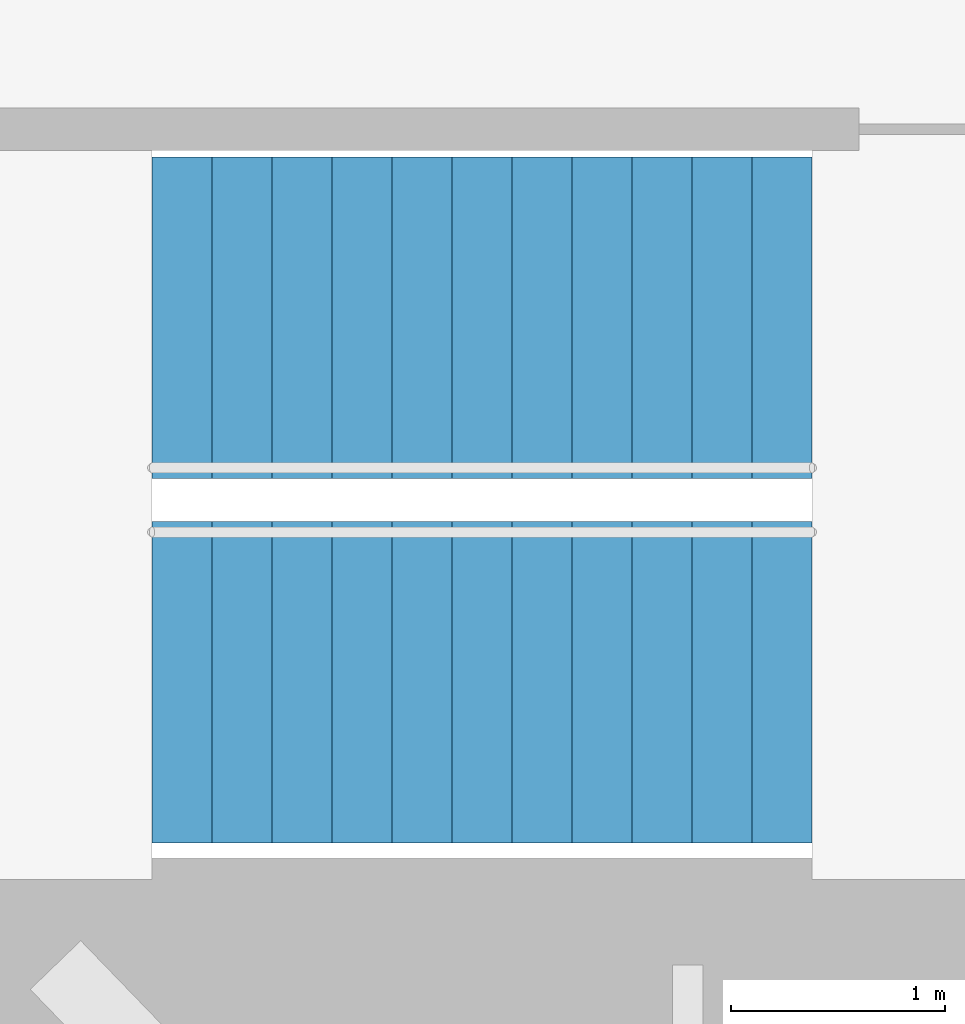
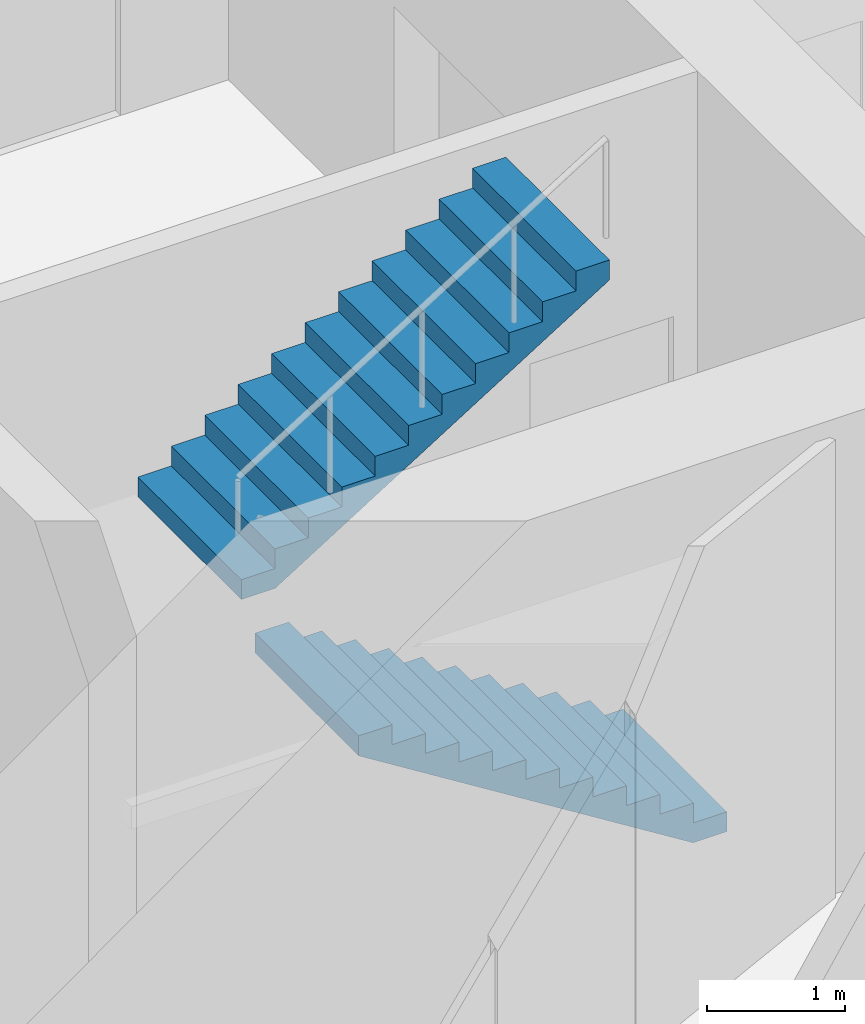
# One storey, part 16 of 17: 2 stair flights, 1 element without a shape of its own.
"""IFC4 building model written with IfcOpenShell, lengths in metres."""

from ifc_helpers import new_model, si_unit, direction, frame, origin, place, context, subcontext, project, spatial, triangles, material, type_object, element, aggregate, save


model = new_model("IFC4")

# Units and contexts
model_context = context("Model", 3, precision=1e-05, world=origin(), true_north=direction((0.0, 1.0)))
body_context = subcontext(model_context, "Body", "Model", "MODEL_VIEW")
ifc_project = project(units=[si_unit("LENGTHUNIT", "METRE"), si_unit("AREAUNIT", "SQUARE_METRE"), si_unit("VOLUMEUNIT", "CUBIC_METRE"), si_unit("PLANEANGLEUNIT", "RADIAN"), si_unit("MASSUNIT", "GRAM", prefix="KILO")], contexts=[model_context])

# Site, building, storey
site_placement = place(None, origin())
site = spatial("IfcSite", under=ifc_project, at=site_placement, CompositionType="ELEMENT")
building_placement = place(site_placement, origin())
building = spatial("IfcBuilding", under=site, at=building_placement, Name="Lantaw Convention Tower", CompositionType="ELEMENT")
storey_placement = place(building_placement, frame((0.0, 0.0, 215.800048828125)))
storey = spatial("IfcBuildingStorey", under=building, at=storey_placement, Name="L50", CompositionType="ELEMENT", Elevation=215.800048828125)

# Stair, stair flights
ifc_material = material(Name="Concrete C35/45", Category="concrete")
stair_type = type_object("IfcStairType", Name="Exit stair 1500 riser 175 in 2 flights", PredefinedType="HALF_TURN_STAIR", material=ifc_material)
stair_placement = place(storey_placement, origin())
stair = element("IfcStair", 1, at=stair_placement, inside=storey, type_object=stair_type, Name="Exit stair S2 L50", PredefinedType="HALF_TURN_STAIR")
stair_flight_type = type_object("IfcStairFlightType", Name="Stair flight 1500 riser 175", PredefinedType="STRAIGHT", material=ifc_material)
stair_flight_1_placement = place(storey_placement, frame((10.580078125, -5.97998046875, 0.0), z_axis=(0.0, 0.0, 1.0), x_axis=(-1.0, 0.0, 0.0)))
stair_flight_1 = element("IfcStairFlight", 2, at=stair_flight_1_placement, type_object=stair_flight_type, Name="S2 flight 1", NumberOfRisers=12, NumberOfTreads=11, PredefinedType="STRAIGHT", RiserHeight=0.175, TreadLength=0.28, context=body_context, shape_type="Tessellation", body=[
    triangles([(0.0, 0.75, 0.0), (0.0, 0.75, 0.175), (0.28, 0.75, 0.0), (0.28, 0.75, 0.175), (0.28, 0.75, 0.35), (0.28283517651771284, 0.75, 0.0), (0.28283517651771284, 0.75, 0.35), (0.56, 0.75, 0.17322801467642948), (0.56, 0.75, 0.35), (0.56, 0.75, 0.5249999999999999), (0.8400000000000001, 0.75, 0.34822801467642944), (0.8400000000000001, 0.75, 0.5249999999999999), (0.8400000000000001, 0.75, 0.7), (1.12, 0.75, 0.5232280146764294), (1.12, 0.75, 0.7), (1.12, 0.75, 0.875), (1.4000000000000001, 0.75, 0.6982280146764295), (1.4000000000000001, 0.75, 0.875), (1.4000000000000001, 0.75, 1.0499999999999998), (1.6800000000000002, 0.75, 0.8732280146764294), (1.6800000000000002, 0.75, 1.0499999999999998), (1.6800000000000002, 0.75, 1.2249999999999999), (1.9600000000000002, 0.75, 1.0482280146764293), (1.9600000000000002, 0.75, 1.2249999999999999), (1.9600000000000002, 0.75, 1.4), (2.24, 0.75, 1.2232280146764294), (2.24, 0.75, 1.4), (2.24, 0.75, 1.575), (2.5200000000000005, 0.75, 1.3982280146764294), (2.5200000000000005, 0.75, 1.575), (2.5200000000000005, 0.75, 1.75), (2.8000000000000003, 0.75, 1.5732280146764293), (2.8000000000000003, 0.75, 1.75), (2.8000000000000003, 0.75, 1.9249999999999998), (3.08, 0.75, 1.7482280146764293), (3.08, 0.75, 1.9249999999999998), (0.0, -0.75, 0.0), (0.0, -0.75, 0.175), (0.28, -0.75, 0.0), (0.28, -0.75, 0.175), (0.28, -0.75, 0.35), (0.28283517651771284, -0.75, 0.0), (0.28283517651771284, -0.75, 0.35), (0.56, -0.75, 0.17322801467642948), (0.56, -0.75, 0.35), (0.56, -0.75, 0.5249999999999999), (0.8400000000000001, -0.75, 0.34822801467642944), (0.8400000000000001, -0.75, 0.5249999999999999), (0.8400000000000001, -0.75, 0.7), (1.12, -0.75, 0.5232280146764294), (1.12, -0.75, 0.7), (1.12, -0.75, 0.875), (1.4000000000000001, -0.75, 0.6982280146764295), (1.4000000000000001, -0.75, 0.875), (1.4000000000000001, -0.75, 1.0499999999999998), (1.6800000000000002, -0.75, 0.8732280146764294), (1.6800000000000002, -0.75, 1.0499999999999998), (1.6800000000000002, -0.75, 1.2249999999999999), (1.9600000000000002, -0.75, 1.0482280146764293), (1.9600000000000002, -0.75, 1.2249999999999999), (1.9600000000000002, -0.75, 1.4), (2.24, -0.75, 1.2232280146764294), (2.24, -0.75, 1.4), (2.24, -0.75, 1.575), (2.5200000000000005, -0.75, 1.3982280146764294), (2.5200000000000005, -0.75, 1.575), (2.5200000000000005, -0.75, 1.75), (2.8000000000000003, -0.75, 1.5732280146764293), (2.8000000000000003, -0.75, 1.75), (2.8000000000000003, -0.75, 1.9249999999999998), (3.08, -0.75, 1.7482280146764293), (3.08, -0.75, 1.9249999999999998), (0.0, 0.15000000000000002, 0.175), (0.0, 0.15000000000000002, 0.0), (0.0, 0.0, 0.175), (0.0, 0.0, 0.0), (0.0, -0.15000000000000002, 0.175), (0.0, -0.15000000000000002, 0.0), (0.28, 0.15000000000000002, 0.35), (0.28, 0.15000000000000002, 0.175), (0.28, 0.0, 0.35), (0.28, 0.0, 0.175), (0.28, -0.15000000000000002, 0.35), (0.28, -0.15000000000000002, 0.175), (0.56, 0.15000000000000002, 0.5249999999999999), (0.56, 0.15000000000000002, 0.35), (0.56, 0.0, 0.5249999999999999), (0.56, 0.0, 0.35), (0.56, -0.15000000000000002, 0.5249999999999999), (0.56, -0.15000000000000002, 0.35), (0.8400000000000001, 0.15000000000000002, 0.7), (0.8400000000000001, 0.15000000000000002, 0.5249999999999999), (0.8400000000000001, 0.0, 0.7), (0.8400000000000001, 0.0, 0.5249999999999999), (0.8400000000000001, -0.15000000000000002, 0.7), (0.8400000000000001, -0.15000000000000002, 0.5249999999999999), (1.12, 0.15000000000000002, 0.875), (1.12, 0.15000000000000002, 0.7), (1.12, 0.0, 0.875), (1.12, 0.0, 0.7), (1.12, -0.15000000000000002, 0.875), (1.12, -0.15000000000000002, 0.7), (1.4000000000000001, 0.15000000000000002, 1.0499999999999998), (1.4000000000000001, 0.15000000000000002, 0.875), (1.4000000000000001, 0.0, 1.0499999999999998), (1.4000000000000001, 0.0, 0.875), (1.4000000000000001, -0.15000000000000002, 1.0499999999999998), (1.4000000000000001, -0.15000000000000002, 0.875), (1.6800000000000002, 0.15000000000000002, 1.2249999999999999), (1.6800000000000002, 0.15000000000000002, 1.0499999999999998), (1.6800000000000002, 0.0, 1.2249999999999999), (1.6800000000000002, 0.0, 1.0499999999999998), (1.6800000000000002, -0.15000000000000002, 1.2249999999999999), (1.6800000000000002, -0.15000000000000002, 1.0499999999999998), (1.9600000000000002, 0.15000000000000002, 1.4), (1.9600000000000002, 0.15000000000000002, 1.2249999999999999), (1.9600000000000002, 0.0, 1.4), (1.9600000000000002, 0.0, 1.2249999999999999), (1.9600000000000002, -0.15000000000000002, 1.4), (1.9600000000000002, -0.15000000000000002, 1.2249999999999999), (2.24, 0.15000000000000002, 1.575), (2.24, 0.15000000000000002, 1.4), (2.24, 0.0, 1.575), (2.24, 0.0, 1.4), (2.24, -0.15000000000000002, 1.575), (2.24, -0.15000000000000002, 1.4), (2.5200000000000005, 0.15000000000000002, 1.75), (2.5200000000000005, 0.15000000000000002, 1.575), (2.5200000000000005, 0.0, 1.75), (2.5200000000000005, 0.0, 1.575), (2.5200000000000005, -0.15000000000000002, 1.75), (2.5200000000000005, -0.15000000000000002, 1.575), (2.8000000000000003, 0.15000000000000002, 1.9249999999999998), (2.8000000000000003, 0.15000000000000002, 1.75), (2.8000000000000003, 0.0, 1.9249999999999998), (2.8000000000000003, 0.0, 1.75), (2.8000000000000003, -0.15000000000000002, 1.9249999999999998), (2.8000000000000003, -0.15000000000000002, 1.75), (0.28283517651771284, 0.15000000000000002, 0.35), (0.28283517651771284, 0.0, 0.35), (0.28283517651771284, -0.15000000000000002, 0.35), (3.08, 0.15000000000000002, 1.9249999999999998), (3.08, 0.0, 1.9249999999999998), (3.08, -0.15000000000000002, 1.9249999999999998), (3.08, 0.15000000000000002, 1.7482280146764293), (3.08, 0.0, 1.7482280146764293), (3.08, -0.15000000000000002, 1.7482280146764293), (2.8000000000000003, 0.15000000000000002, 1.5732280146764293), (2.8000000000000003, 0.0, 1.5732280146764293), (2.8000000000000003, -0.15000000000000002, 1.5732280146764293), (2.5200000000000005, 0.15000000000000002, 1.3982280146764294), (2.5200000000000005, 0.0, 1.3982280146764294), (2.5200000000000005, -0.15000000000000002, 1.3982280146764294), (2.24, 0.15000000000000002, 1.2232280146764294), (2.24, 0.0, 1.2232280146764294), (2.24, -0.15000000000000002, 1.2232280146764294), (1.9600000000000002, 0.15000000000000002, 1.0482280146764293), (1.9600000000000002, 0.0, 1.0482280146764293), (1.9600000000000002, -0.15000000000000002, 1.0482280146764293), (1.6800000000000002, 0.15000000000000002, 0.8732280146764294), (1.6800000000000002, 0.0, 0.8732280146764294), (1.6800000000000002, -0.15000000000000002, 0.8732280146764294), (1.4000000000000001, 0.15000000000000002, 0.6982280146764295), (1.4000000000000001, 0.0, 0.6982280146764295), (1.4000000000000001, -0.15000000000000002, 0.6982280146764295), (1.12, 0.15000000000000002, 0.5232280146764294), (1.12, 0.0, 0.5232280146764294), (1.12, -0.15000000000000002, 0.5232280146764294), (0.8400000000000001, 0.15000000000000002, 0.34822801467642944), (0.8400000000000001, 0.0, 0.34822801467642944), (0.8400000000000001, -0.15000000000000002, 0.34822801467642944), (0.56, 0.15000000000000002, 0.17322801467642948), (0.56, 0.0, 0.17322801467642948), (0.56, -0.15000000000000002, 0.17322801467642948), (0.28283517651771284, 0.15000000000000002, 0.0), (0.28283517651771284, 0.0, 0.0), (0.28283517651771284, -0.15000000000000002, 0.0), (0.28, 0.15000000000000002, 0.0), (0.28, 0.0, 0.0), (0.28, -0.15000000000000002, 0.0)], [[1, 4, 3], [1, 2, 4], [3, 4, 6], [4, 7, 6], [4, 5, 7], [6, 9, 8], [6, 7, 9], [8, 9, 11], [9, 12, 11], [9, 10, 12], [11, 12, 14], [12, 15, 14], [12, 13, 15], [14, 15, 17], [15, 18, 17], [15, 16, 18], [17, 18, 20], [18, 21, 20], [18, 19, 21], [20, 21, 23], [21, 24, 23], [21, 22, 24], [23, 24, 26], [24, 27, 26], [24, 25, 27], [26, 27, 29], [27, 30, 29], [27, 28, 30], [29, 30, 32], [30, 33, 32], [30, 31, 33], [32, 33, 35], [33, 36, 35], [33, 34, 36], [37, 39, 40], [37, 40, 38], [39, 42, 40], [40, 42, 43], [40, 43, 41], [42, 44, 45], [42, 45, 43], [44, 47, 45], [45, 47, 48], [45, 48, 46], [47, 50, 48], [48, 50, 51], [48, 51, 49], [50, 53, 51], [51, 53, 54], [51, 54, 52], [53, 56, 54], [54, 56, 57], [54, 57, 55], [56, 59, 57], [57, 59, 60], [57, 60, 58], [59, 62, 60], [60, 62, 63], [60, 63, 61], [62, 65, 63], [63, 65, 66], [63, 66, 64], [65, 68, 66], [66, 68, 69], [66, 69, 67], [68, 71, 69], [69, 71, 72], [69, 72, 70], [1, 73, 2], [1, 74, 73], [74, 75, 73], [74, 76, 75], [76, 77, 75], [76, 78, 77], [78, 38, 77], [78, 37, 38], [4, 79, 5], [4, 80, 79], [80, 81, 79], [80, 82, 81], [82, 83, 81], [82, 84, 83], [84, 41, 83], [84, 40, 41], [9, 85, 10], [9, 86, 85], [86, 87, 85], [86, 88, 87], [88, 89, 87], [88, 90, 89], [90, 46, 89], [90, 45, 46], [12, 91, 13], [12, 92, 91], [92, 93, 91], [92, 94, 93], [94, 95, 93], [94, 96, 95], [96, 49, 95], [96, 48, 49], [15, 97, 16], [15, 98, 97], [98, 99, 97], [98, 100, 99], [100, 101, 99], [100, 102, 101], [102, 52, 101], [102, 51, 52], [18, 103, 19], [18, 104, 103], [104, 105, 103], [104, 106, 105], [106, 107, 105], [106, 108, 107], [108, 55, 107], [108, 54, 55], [21, 109, 22], [21, 110, 109], [110, 111, 109], [110, 112, 111], [112, 113, 111], [112, 114, 113], [114, 58, 113], [114, 57, 58], [24, 115, 25], [24, 116, 115], [116, 117, 115], [116, 118, 117], [118, 119, 117], [118, 120, 119], [120, 61, 119], [120, 60, 61], [27, 121, 28], [27, 122, 121], [122, 123, 121], [122, 124, 123], [124, 125, 123], [124, 126, 125], [126, 64, 125], [126, 63, 64], [30, 127, 31], [30, 128, 127], [128, 129, 127], [128, 130, 129], [130, 131, 129], [130, 132, 131], [132, 67, 131], [132, 66, 67], [33, 133, 34], [33, 134, 133], [134, 135, 133], [134, 136, 135], [136, 137, 135], [136, 138, 137], [138, 70, 137], [138, 69, 70], [2, 80, 4], [2, 73, 80], [73, 82, 80], [73, 75, 82], [75, 84, 82], [75, 77, 84], [77, 40, 84], [77, 38, 40], [5, 139, 7], [5, 79, 139], [79, 140, 139], [79, 81, 140], [81, 141, 140], [81, 83, 141], [83, 43, 141], [83, 41, 43], [7, 86, 9], [7, 139, 86], [139, 88, 86], [139, 140, 88], [140, 90, 88], [140, 141, 90], [141, 45, 90], [141, 43, 45], [10, 92, 12], [10, 85, 92], [85, 94, 92], [85, 87, 94], [87, 96, 94], [87, 89, 96], [89, 48, 96], [89, 46, 48], [13, 98, 15], [13, 91, 98], [91, 100, 98], [91, 93, 100], [93, 102, 100], [93, 95, 102], [95, 51, 102], [95, 49, 51], [16, 104, 18], [16, 97, 104], [97, 106, 104], [97, 99, 106], [99, 108, 106], [99, 101, 108], [101, 54, 108], [101, 52, 54], [19, 110, 21], [19, 103, 110], [103, 112, 110], [103, 105, 112], [105, 114, 112], [105, 107, 114], [107, 57, 114], [107, 55, 57], [22, 116, 24], [22, 109, 116], [109, 118, 116], [109, 111, 118], [111, 120, 118], [111, 113, 120], [113, 60, 120], [113, 58, 60], [25, 122, 27], [25, 115, 122], [115, 124, 122], [115, 117, 124], [117, 126, 124], [117, 119, 126], [119, 63, 126], [119, 61, 63], [28, 128, 30], [28, 121, 128], [121, 130, 128], [121, 123, 130], [123, 132, 130], [123, 125, 132], [125, 66, 132], [125, 64, 66], [31, 134, 33], [31, 127, 134], [127, 136, 134], [127, 129, 136], [129, 138, 136], [129, 131, 138], [131, 69, 138], [131, 67, 69], [34, 142, 36], [34, 133, 142], [133, 143, 142], [133, 135, 143], [135, 144, 143], [135, 137, 144], [137, 72, 144], [137, 70, 72], [36, 145, 35], [36, 142, 145], [142, 146, 145], [142, 143, 146], [143, 147, 146], [143, 144, 147], [144, 71, 147], [144, 72, 71], [35, 148, 32], [35, 145, 148], [145, 149, 148], [145, 146, 149], [146, 150, 149], [146, 147, 150], [147, 68, 150], [147, 71, 68], [32, 151, 29], [32, 148, 151], [148, 152, 151], [148, 149, 152], [149, 153, 152], [149, 150, 153], [150, 65, 153], [150, 68, 65], [29, 154, 26], [29, 151, 154], [151, 155, 154], [151, 152, 155], [152, 156, 155], [152, 153, 156], [153, 62, 156], [153, 65, 62], [26, 157, 23], [26, 154, 157], [154, 158, 157], [154, 155, 158], [155, 159, 158], [155, 156, 159], [156, 59, 159], [156, 62, 59], [23, 160, 20], [23, 157, 160], [157, 161, 160], [157, 158, 161], [158, 162, 161], [158, 159, 162], [159, 56, 162], [159, 59, 56], [20, 163, 17], [20, 160, 163], [160, 164, 163], [160, 161, 164], [161, 165, 164], [161, 162, 165], [162, 53, 165], [162, 56, 53], [17, 166, 14], [17, 163, 166], [163, 167, 166], [163, 164, 167], [164, 168, 167], [164, 165, 168], [165, 50, 168], [165, 53, 50], [14, 169, 11], [14, 166, 169], [166, 170, 169], [166, 167, 170], [167, 171, 170], [167, 168, 171], [168, 47, 171], [168, 50, 47], [11, 172, 8], [11, 169, 172], [169, 173, 172], [169, 170, 173], [170, 174, 173], [170, 171, 174], [171, 44, 174], [171, 47, 44], [8, 175, 6], [8, 172, 175], [172, 176, 175], [172, 173, 176], [173, 177, 176], [173, 174, 177], [174, 42, 177], [174, 44, 42], [6, 178, 3], [6, 175, 178], [175, 179, 178], [175, 176, 179], [176, 180, 179], [176, 177, 180], [177, 39, 180], [177, 42, 39], [3, 74, 1], [3, 178, 74], [178, 76, 74], [178, 179, 76], [179, 78, 76], [179, 180, 78], [180, 37, 78], [180, 39, 37]], closed=True),
])
stair_flight_2_placement = place(storey_placement, frame((7.5, -4.280029296875, 2.099853515625), z_axis=(0.0, 0.0, 1.0), x_axis=(1.0, 0.0, 0.0)))
stair_flight_2 = element("IfcStairFlight", 3, at=stair_flight_2_placement, type_object=stair_flight_type, Name="S2 flight 2", NumberOfRisers=12, NumberOfTreads=11, PredefinedType="STRAIGHT", RiserHeight=0.175, TreadLength=0.28, context=body_context, shape_type="Tessellation", body=[
    triangles([(0.0, 0.75, 0.0), (0.0, 0.75, 0.175), (0.28, 0.75, 0.0), (0.28, 0.75, 0.175), (0.28, 0.75, 0.35), (0.28283517651771284, 0.75, 0.0), (0.28283517651771284, 0.75, 0.35), (0.56, 0.75, 0.17322801467642948), (0.56, 0.75, 0.35), (0.56, 0.75, 0.5249999999999999), (0.8400000000000001, 0.75, 0.34822801467642944), (0.8400000000000001, 0.75, 0.5249999999999999), (0.8400000000000001, 0.75, 0.7), (1.12, 0.75, 0.5232280146764294), (1.12, 0.75, 0.7), (1.12, 0.75, 0.875), (1.4000000000000001, 0.75, 0.6982280146764295), (1.4000000000000001, 0.75, 0.875), (1.4000000000000001, 0.75, 1.0499999999999998), (1.6800000000000002, 0.75, 0.8732280146764294), (1.6800000000000002, 0.75, 1.0499999999999998), (1.6800000000000002, 0.75, 1.2249999999999999), (1.9600000000000002, 0.75, 1.0482280146764293), (1.9600000000000002, 0.75, 1.2249999999999999), (1.9600000000000002, 0.75, 1.4), (2.24, 0.75, 1.2232280146764294), (2.24, 0.75, 1.4), (2.24, 0.75, 1.575), (2.5200000000000005, 0.75, 1.3982280146764294), (2.5200000000000005, 0.75, 1.575), (2.5200000000000005, 0.75, 1.75), (2.8000000000000003, 0.75, 1.5732280146764293), (2.8000000000000003, 0.75, 1.75), (2.8000000000000003, 0.75, 1.9249999999999998), (3.08, 0.75, 1.7482280146764293), (3.08, 0.75, 1.9249999999999998), (0.0, -0.75, 0.0), (0.0, -0.75, 0.175), (0.28, -0.75, 0.0), (0.28, -0.75, 0.175), (0.28, -0.75, 0.35), (0.28283517651771284, -0.75, 0.0), (0.28283517651771284, -0.75, 0.35), (0.56, -0.75, 0.17322801467642948), (0.56, -0.75, 0.35), (0.56, -0.75, 0.5249999999999999), (0.8400000000000001, -0.75, 0.34822801467642944), (0.8400000000000001, -0.75, 0.5249999999999999), (0.8400000000000001, -0.75, 0.7), (1.12, -0.75, 0.5232280146764294), (1.12, -0.75, 0.7), (1.12, -0.75, 0.875), (1.4000000000000001, -0.75, 0.6982280146764295), (1.4000000000000001, -0.75, 0.875), (1.4000000000000001, -0.75, 1.0499999999999998), (1.6800000000000002, -0.75, 0.8732280146764294), (1.6800000000000002, -0.75, 1.0499999999999998), (1.6800000000000002, -0.75, 1.2249999999999999), (1.9600000000000002, -0.75, 1.0482280146764293), (1.9600000000000002, -0.75, 1.2249999999999999), (1.9600000000000002, -0.75, 1.4), (2.24, -0.75, 1.2232280146764294), (2.24, -0.75, 1.4), (2.24, -0.75, 1.575), (2.5200000000000005, -0.75, 1.3982280146764294), (2.5200000000000005, -0.75, 1.575), (2.5200000000000005, -0.75, 1.75), (2.8000000000000003, -0.75, 1.5732280146764293), (2.8000000000000003, -0.75, 1.75), (2.8000000000000003, -0.75, 1.9249999999999998), (3.08, -0.75, 1.7482280146764293), (3.08, -0.75, 1.9249999999999998), (0.0, 0.15000000000000002, 0.175), (0.0, 0.15000000000000002, 0.0), (0.0, 0.0, 0.175), (0.0, 0.0, 0.0), (0.0, -0.15000000000000002, 0.175), (0.0, -0.15000000000000002, 0.0), (0.28, 0.15000000000000002, 0.35), (0.28, 0.15000000000000002, 0.175), (0.28, 0.0, 0.35), (0.28, 0.0, 0.175), (0.28, -0.15000000000000002, 0.35), (0.28, -0.15000000000000002, 0.175), (0.56, 0.15000000000000002, 0.5249999999999999), (0.56, 0.15000000000000002, 0.35), (0.56, 0.0, 0.5249999999999999), (0.56, 0.0, 0.35), (0.56, -0.15000000000000002, 0.5249999999999999), (0.56, -0.15000000000000002, 0.35), (0.8400000000000001, 0.15000000000000002, 0.7), (0.8400000000000001, 0.15000000000000002, 0.5249999999999999), (0.8400000000000001, 0.0, 0.7), (0.8400000000000001, 0.0, 0.5249999999999999), (0.8400000000000001, -0.15000000000000002, 0.7), (0.8400000000000001, -0.15000000000000002, 0.5249999999999999), (1.12, 0.15000000000000002, 0.875), (1.12, 0.15000000000000002, 0.7), (1.12, 0.0, 0.875), (1.12, 0.0, 0.7), (1.12, -0.15000000000000002, 0.875), (1.12, -0.15000000000000002, 0.7), (1.4000000000000001, 0.15000000000000002, 1.0499999999999998), (1.4000000000000001, 0.15000000000000002, 0.875), (1.4000000000000001, 0.0, 1.0499999999999998), (1.4000000000000001, 0.0, 0.875), (1.4000000000000001, -0.15000000000000002, 1.0499999999999998), (1.4000000000000001, -0.15000000000000002, 0.875), (1.6800000000000002, 0.15000000000000002, 1.2249999999999999), (1.6800000000000002, 0.15000000000000002, 1.0499999999999998), (1.6800000000000002, 0.0, 1.2249999999999999), (1.6800000000000002, 0.0, 1.0499999999999998), (1.6800000000000002, -0.15000000000000002, 1.2249999999999999), (1.6800000000000002, -0.15000000000000002, 1.0499999999999998), (1.9600000000000002, 0.15000000000000002, 1.4), (1.9600000000000002, 0.15000000000000002, 1.2249999999999999), (1.9600000000000002, 0.0, 1.4), (1.9600000000000002, 0.0, 1.2249999999999999), (1.9600000000000002, -0.15000000000000002, 1.4), (1.9600000000000002, -0.15000000000000002, 1.2249999999999999), (2.24, 0.15000000000000002, 1.575), (2.24, 0.15000000000000002, 1.4), (2.24, 0.0, 1.575), (2.24, 0.0, 1.4), (2.24, -0.15000000000000002, 1.575), (2.24, -0.15000000000000002, 1.4), (2.5200000000000005, 0.15000000000000002, 1.75), (2.5200000000000005, 0.15000000000000002, 1.575), (2.5200000000000005, 0.0, 1.75), (2.5200000000000005, 0.0, 1.575), (2.5200000000000005, -0.15000000000000002, 1.75), (2.5200000000000005, -0.15000000000000002, 1.575), (2.8000000000000003, 0.15000000000000002, 1.9249999999999998), (2.8000000000000003, 0.15000000000000002, 1.75), (2.8000000000000003, 0.0, 1.9249999999999998), (2.8000000000000003, 0.0, 1.75), (2.8000000000000003, -0.15000000000000002, 1.9249999999999998), (2.8000000000000003, -0.15000000000000002, 1.75), (0.28283517651771284, 0.15000000000000002, 0.35), (0.28283517651771284, 0.0, 0.35), (0.28283517651771284, -0.15000000000000002, 0.35), (3.08, 0.15000000000000002, 1.9249999999999998), (3.08, 0.0, 1.9249999999999998), (3.08, -0.15000000000000002, 1.9249999999999998), (3.08, 0.15000000000000002, 1.7482280146764293), (3.08, 0.0, 1.7482280146764293), (3.08, -0.15000000000000002, 1.7482280146764293), (2.8000000000000003, 0.15000000000000002, 1.5732280146764293), (2.8000000000000003, 0.0, 1.5732280146764293), (2.8000000000000003, -0.15000000000000002, 1.5732280146764293), (2.5200000000000005, 0.15000000000000002, 1.3982280146764294), (2.5200000000000005, 0.0, 1.3982280146764294), (2.5200000000000005, -0.15000000000000002, 1.3982280146764294), (2.24, 0.15000000000000002, 1.2232280146764294), (2.24, 0.0, 1.2232280146764294), (2.24, -0.15000000000000002, 1.2232280146764294), (1.9600000000000002, 0.15000000000000002, 1.0482280146764293), (1.9600000000000002, 0.0, 1.0482280146764293), (1.9600000000000002, -0.15000000000000002, 1.0482280146764293), (1.6800000000000002, 0.15000000000000002, 0.8732280146764294), (1.6800000000000002, 0.0, 0.8732280146764294), (1.6800000000000002, -0.15000000000000002, 0.8732280146764294), (1.4000000000000001, 0.15000000000000002, 0.6982280146764295), (1.4000000000000001, 0.0, 0.6982280146764295), (1.4000000000000001, -0.15000000000000002, 0.6982280146764295), (1.12, 0.15000000000000002, 0.5232280146764294), (1.12, 0.0, 0.5232280146764294), (1.12, -0.15000000000000002, 0.5232280146764294), (0.8400000000000001, 0.15000000000000002, 0.34822801467642944), (0.8400000000000001, 0.0, 0.34822801467642944), (0.8400000000000001, -0.15000000000000002, 0.34822801467642944), (0.56, 0.15000000000000002, 0.17322801467642948), (0.56, 0.0, 0.17322801467642948), (0.56, -0.15000000000000002, 0.17322801467642948), (0.28283517651771284, 0.15000000000000002, 0.0), (0.28283517651771284, 0.0, 0.0), (0.28283517651771284, -0.15000000000000002, 0.0), (0.28, 0.15000000000000002, 0.0), (0.28, 0.0, 0.0), (0.28, -0.15000000000000002, 0.0)], [[1, 4, 3], [1, 2, 4], [3, 4, 6], [4, 7, 6], [4, 5, 7], [6, 9, 8], [6, 7, 9], [8, 9, 11], [9, 12, 11], [9, 10, 12], [11, 12, 14], [12, 15, 14], [12, 13, 15], [14, 15, 17], [15, 18, 17], [15, 16, 18], [17, 18, 20], [18, 21, 20], [18, 19, 21], [20, 21, 23], [21, 24, 23], [21, 22, 24], [23, 24, 26], [24, 27, 26], [24, 25, 27], [26, 27, 29], [27, 30, 29], [27, 28, 30], [29, 30, 32], [30, 33, 32], [30, 31, 33], [32, 33, 35], [33, 36, 35], [33, 34, 36], [37, 39, 40], [37, 40, 38], [39, 42, 40], [40, 42, 43], [40, 43, 41], [42, 44, 45], [42, 45, 43], [44, 47, 45], [45, 47, 48], [45, 48, 46], [47, 50, 48], [48, 50, 51], [48, 51, 49], [50, 53, 51], [51, 53, 54], [51, 54, 52], [53, 56, 54], [54, 56, 57], [54, 57, 55], [56, 59, 57], [57, 59, 60], [57, 60, 58], [59, 62, 60], [60, 62, 63], [60, 63, 61], [62, 65, 63], [63, 65, 66], [63, 66, 64], [65, 68, 66], [66, 68, 69], [66, 69, 67], [68, 71, 69], [69, 71, 72], [69, 72, 70], [1, 73, 2], [1, 74, 73], [74, 75, 73], [74, 76, 75], [76, 77, 75], [76, 78, 77], [78, 38, 77], [78, 37, 38], [4, 79, 5], [4, 80, 79], [80, 81, 79], [80, 82, 81], [82, 83, 81], [82, 84, 83], [84, 41, 83], [84, 40, 41], [9, 85, 10], [9, 86, 85], [86, 87, 85], [86, 88, 87], [88, 89, 87], [88, 90, 89], [90, 46, 89], [90, 45, 46], [12, 91, 13], [12, 92, 91], [92, 93, 91], [92, 94, 93], [94, 95, 93], [94, 96, 95], [96, 49, 95], [96, 48, 49], [15, 97, 16], [15, 98, 97], [98, 99, 97], [98, 100, 99], [100, 101, 99], [100, 102, 101], [102, 52, 101], [102, 51, 52], [18, 103, 19], [18, 104, 103], [104, 105, 103], [104, 106, 105], [106, 107, 105], [106, 108, 107], [108, 55, 107], [108, 54, 55], [21, 109, 22], [21, 110, 109], [110, 111, 109], [110, 112, 111], [112, 113, 111], [112, 114, 113], [114, 58, 113], [114, 57, 58], [24, 115, 25], [24, 116, 115], [116, 117, 115], [116, 118, 117], [118, 119, 117], [118, 120, 119], [120, 61, 119], [120, 60, 61], [27, 121, 28], [27, 122, 121], [122, 123, 121], [122, 124, 123], [124, 125, 123], [124, 126, 125], [126, 64, 125], [126, 63, 64], [30, 127, 31], [30, 128, 127], [128, 129, 127], [128, 130, 129], [130, 131, 129], [130, 132, 131], [132, 67, 131], [132, 66, 67], [33, 133, 34], [33, 134, 133], [134, 135, 133], [134, 136, 135], [136, 137, 135], [136, 138, 137], [138, 70, 137], [138, 69, 70], [2, 80, 4], [2, 73, 80], [73, 82, 80], [73, 75, 82], [75, 84, 82], [75, 77, 84], [77, 40, 84], [77, 38, 40], [5, 139, 7], [5, 79, 139], [79, 140, 139], [79, 81, 140], [81, 141, 140], [81, 83, 141], [83, 43, 141], [83, 41, 43], [7, 86, 9], [7, 139, 86], [139, 88, 86], [139, 140, 88], [140, 90, 88], [140, 141, 90], [141, 45, 90], [141, 43, 45], [10, 92, 12], [10, 85, 92], [85, 94, 92], [85, 87, 94], [87, 96, 94], [87, 89, 96], [89, 48, 96], [89, 46, 48], [13, 98, 15], [13, 91, 98], [91, 100, 98], [91, 93, 100], [93, 102, 100], [93, 95, 102], [95, 51, 102], [95, 49, 51], [16, 104, 18], [16, 97, 104], [97, 106, 104], [97, 99, 106], [99, 108, 106], [99, 101, 108], [101, 54, 108], [101, 52, 54], [19, 110, 21], [19, 103, 110], [103, 112, 110], [103, 105, 112], [105, 114, 112], [105, 107, 114], [107, 57, 114], [107, 55, 57], [22, 116, 24], [22, 109, 116], [109, 118, 116], [109, 111, 118], [111, 120, 118], [111, 113, 120], [113, 60, 120], [113, 58, 60], [25, 122, 27], [25, 115, 122], [115, 124, 122], [115, 117, 124], [117, 126, 124], [117, 119, 126], [119, 63, 126], [119, 61, 63], [28, 128, 30], [28, 121, 128], [121, 130, 128], [121, 123, 130], [123, 132, 130], [123, 125, 132], [125, 66, 132], [125, 64, 66], [31, 134, 33], [31, 127, 134], [127, 136, 134], [127, 129, 136], [129, 138, 136], [129, 131, 138], [131, 69, 138], [131, 67, 69], [34, 142, 36], [34, 133, 142], [133, 143, 142], [133, 135, 143], [135, 144, 143], [135, 137, 144], [137, 72, 144], [137, 70, 72], [36, 145, 35], [36, 142, 145], [142, 146, 145], [142, 143, 146], [143, 147, 146], [143, 144, 147], [144, 71, 147], [144, 72, 71], [35, 148, 32], [35, 145, 148], [145, 149, 148], [145, 146, 149], [146, 150, 149], [146, 147, 150], [147, 68, 150], [147, 71, 68], [32, 151, 29], [32, 148, 151], [148, 152, 151], [148, 149, 152], [149, 153, 152], [149, 150, 153], [150, 65, 153], [150, 68, 65], [29, 154, 26], [29, 151, 154], [151, 155, 154], [151, 152, 155], [152, 156, 155], [152, 153, 156], [153, 62, 156], [153, 65, 62], [26, 157, 23], [26, 154, 157], [154, 158, 157], [154, 155, 158], [155, 159, 158], [155, 156, 159], [156, 59, 159], [156, 62, 59], [23, 160, 20], [23, 157, 160], [157, 161, 160], [157, 158, 161], [158, 162, 161], [158, 159, 162], [159, 56, 162], [159, 59, 56], [20, 163, 17], [20, 160, 163], [160, 164, 163], [160, 161, 164], [161, 165, 164], [161, 162, 165], [162, 53, 165], [162, 56, 53], [17, 166, 14], [17, 163, 166], [163, 167, 166], [163, 164, 167], [164, 168, 167], [164, 165, 168], [165, 50, 168], [165, 53, 50], [14, 169, 11], [14, 166, 169], [166, 170, 169], [166, 167, 170], [167, 171, 170], [167, 168, 171], [168, 47, 171], [168, 50, 47], [11, 172, 8], [11, 169, 172], [169, 173, 172], [169, 170, 173], [170, 174, 173], [170, 171, 174], [171, 44, 174], [171, 47, 44], [8, 175, 6], [8, 172, 175], [172, 176, 175], [172, 173, 176], [173, 177, 176], [173, 174, 177], [174, 42, 177], [174, 44, 42], [6, 178, 3], [6, 175, 178], [175, 179, 178], [175, 176, 179], [176, 180, 179], [176, 177, 180], [177, 39, 180], [177, 42, 39], [3, 74, 1], [3, 178, 74], [178, 76, 74], [178, 179, 76], [179, 78, 76], [179, 180, 78], [180, 37, 78], [180, 39, 37]], closed=True),
])
aggregate(stair, [stair_flight_1, stair_flight_2])

save(model, "model.ifc")
